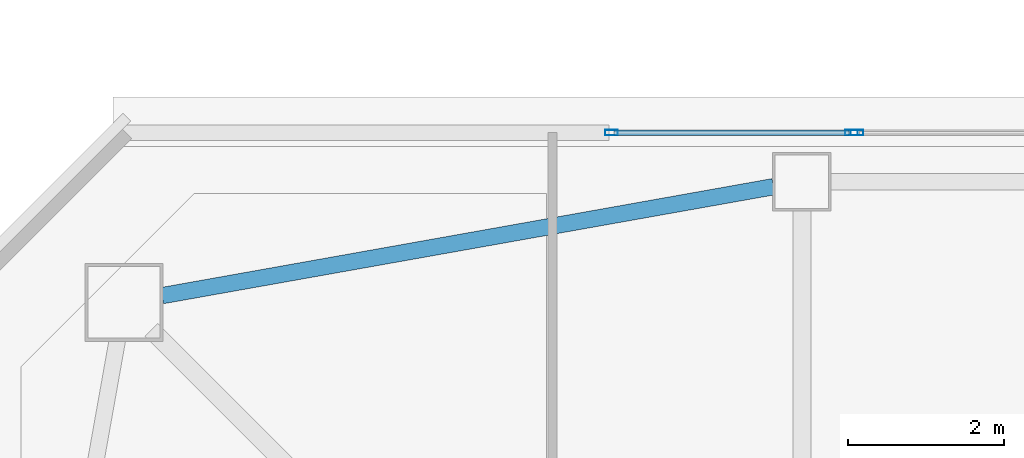
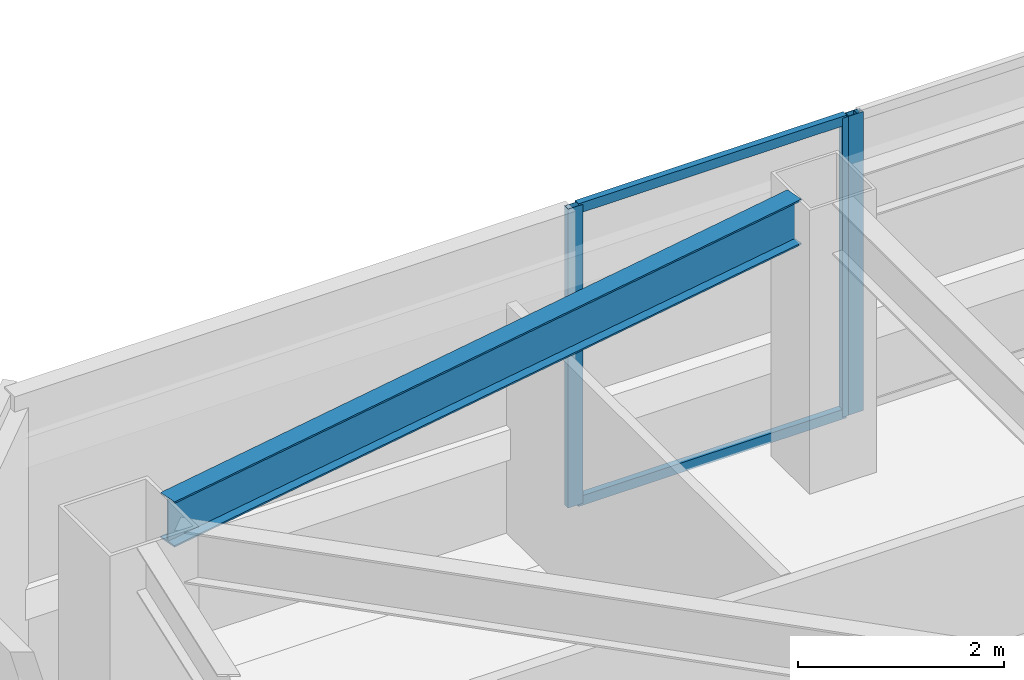
# One storey, part 13 of 39: 5 members, 1 beam, 2 elements without a shape of their own.
"""IFC4 building model written with IfcOpenShell, lengths in metres."""

import ifcopenshell
import ifcopenshell.guid

model = None  # the IFC model being written
_history = None  # IfcOwnerHistory: only IFC2X3 demands one
_inside = {}  # id of a spatial element -> (the spatial element, [elements in it])
_under = {}  # id of a project, library or spatial element -> (it, [spatial elements below it])
_declared = {}  # id of a project -> (the project, [libraries it declares])
_typed = {}  # id of a type object -> (the type object, [elements of that type])
_made_of = {}  # id of a material, layer set ... -> (it, [elements and type objects made of it])


def new_model(schema):
    """Start an empty IFC model of exactly this schema.

    Asked for "IFC4X3", IfcOpenShell would pick the latest addendum, in which some entities
    have other attributes; the version numbers below select the first issue.
    IFC2X3 requires an IfcOwnerHistory on every rooted entity: one is made here for all.
    """
    global model, _history
    if schema == "IFC4X3":
        model = ifcopenshell.file(schema_version=(4, 3, 0, 0))
    else:
        model = ifcopenshell.file(schema=schema)
    _inside.clear()
    _under.clear()
    _declared.clear()
    _typed.clear()
    _made_of.clear()
    _history = None
    if model.schema == "IFC2X3":
        org = make("IfcOrganization", Name="unknown")
        user = make(
            "IfcPersonAndOrganization",
            ThePerson=make("IfcPerson", FamilyName="unknown"),
            TheOrganization=org,
        )
        app = make(
            "IfcApplication",
            ApplicationDeveloper=org,
            Version="unknown",
            ApplicationFullName="unknown",
            ApplicationIdentifier="unknown",
        )
        _history = make(
            "IfcOwnerHistory",
            OwningUser=user,
            OwningApplication=app,
            ChangeAction="ADDED",
            CreationDate=0,
        )
    return model


def make(cls, **values):
    """One entity of the class cls with the attributes given. An attribute that is None is left unset."""
    return model.create_entity(
        cls, **{name: value for name, value in values.items() if value is not None}
    )


def rooted(cls, **values):
    """An entity with a GlobalId (a new one), such as an element, a storey or a relation."""
    return make(cls, GlobalId=ifcopenshell.guid.new(), OwnerHistory=_history, **values)


def si_unit(unit_type, name, prefix=None):
    """IfcSIUnit, for example si_unit("LENGTHUNIT", "METRE", prefix="MILLI")."""
    return make("IfcSIUnit", UnitType=unit_type, Prefix=prefix, Name=name)


def assignment(units):
    """IfcUnitAssignment: the units of a project."""
    return None if units is None else make("IfcUnitAssignment", Units=units)


def point(xyz):
    """IfcCartesianPoint."""
    return None if xyz is None else make("IfcCartesianPoint", Coordinates=xyz)


def direction(xyz):
    """IfcDirection."""
    return None if xyz is None else make("IfcDirection", DirectionRatios=xyz)


def frame(location, z_axis=None, x_axis=None):
    """IfcAxis2Placement3D, a coordinate frame: its origin and axes. An axis left out is left unset."""
    return make(
        "IfcAxis2Placement3D",
        Location=point(location),
        Axis=direction(z_axis),
        RefDirection=direction(x_axis),
    )


def frame_2d(location, x_axis=None):
    """IfcAxis2Placement2D, a coordinate frame in the plane: its origin and x axis."""
    return make(
        "IfcAxis2Placement2D", Location=point(location), RefDirection=direction(x_axis)
    )


def origin():
    """The frame at (0, 0, 0) with its axes left unset."""
    return frame((0.0, 0.0, 0.0))


def origin_2d():
    """The frame at (0, 0) in the plane with its x axis left unset."""
    return frame_2d((0.0, 0.0))


def place(relative_to, where):
    """IfcLocalPlacement: puts the frame where relative to a parent placement (None: the world)."""
    return make(
        "IfcLocalPlacement", PlacementRelTo=relative_to, RelativePlacement=where
    )


def context(
    kind, dimensions, precision=None, world=None, true_north=None, identifier=None
):
    """IfcGeometricRepresentationContext, for example the 3D "Model" context."""
    return make(
        "IfcGeometricRepresentationContext",
        ContextIdentifier=identifier,
        ContextType=kind,
        CoordinateSpaceDimension=dimensions,
        Precision=precision,
        WorldCoordinateSystem=world,
        TrueNorth=true_north,
    )


def subcontext(parent, identifier, kind, view, scale=None):
    """IfcGeometricRepresentationSubContext, for example "Body" below "Model"."""
    return make(
        "IfcGeometricRepresentationSubContext",
        ContextIdentifier=identifier,
        ContextType=kind,
        ParentContext=parent,
        TargetScale=scale,
        TargetView=view,
    )


def project(units=None, contexts=None):
    """IfcProject with its units and contexts."""
    return rooted(
        "IfcProject",
        Name="project",
        RepresentationContexts=contexts,
        UnitsInContext=assignment(units),
    )


def spatial(cls, under=None, at=None, **own):
    """A site, building, storey or space (cls), placed at a placement, below another one or the project."""
    s = rooted(cls, ObjectPlacement=at, **own)
    if under is not None:
        _under.setdefault(under.id(), (under, []))[1].append(s)
    return s


def profile(cls, at=None, kind="AREA", **sizes):
    """A parametric profile (cls). Its sizes go by their IFC names, for example OverallWidth=200.0."""
    return make(cls, ProfileType=kind, Position=at, **sizes)


def hollow_rectangle(**sizes):
    """IfcRectangleHollowProfileDef."""
    return profile("IfcRectangleHollowProfileDef", **sizes)


def i_section(**sizes):
    """IfcIShapeProfileDef."""
    return profile("IfcIShapeProfileDef", **sizes)


def extrude(swept, where, along, depth):
    """IfcExtrudedAreaSolid: the profile swept, set in the frame where, extruded along a direction by depth."""
    return make(
        "IfcExtrudedAreaSolid",
        SweptArea=swept,
        Position=where,
        ExtrudedDirection=direction(along),
        Depth=depth,
    )


def shape(context_of_items, identifier, shape_type, items):
    """IfcShapeRepresentation: the items that make up one representation, for example the "Body"."""
    return make(
        "IfcShapeRepresentation",
        ContextOfItems=context_of_items,
        RepresentationIdentifier=identifier,
        RepresentationType=shape_type,
        Items=items,
    )


def material(Name=None, Category=None):
    """IfcMaterial."""
    return make("IfcMaterial", Name=Name, Category=Category)


def material_profile(
    of_material, cross_section, Name=None, Category=None, Priority=None
):
    """IfcMaterialProfile: a cross section and its material."""
    return make(
        "IfcMaterialProfile",
        Name=Name,
        Material=of_material,
        Profile=cross_section,
        Priority=Priority,
        Category=Category,
    )


def profile_set(profiles, Name=None, composite=None):
    """IfcMaterialProfileSet."""
    return make(
        "IfcMaterialProfileSet",
        Name=Name,
        MaterialProfiles=profiles,
        CompositeProfile=composite,
    )


def made_of(thing, what):
    """Note that an element or type object is made of a material, layer set ...; save() writes the relation."""
    if what is not None:
        _made_of.setdefault(what.id(), (what, []))[1].append(thing)
    return thing


def type_object(cls, material=None, **own):
    """A type object (cls), such as IfcWallType, which elements share."""
    return made_of(rooted(cls, **own), material)


def element(
    cls,
    number,
    at=None,
    inside=None,
    cuts=None,
    type_object=None,
    material=None,
    context=None,
    identifier="Body",
    shape_type=None,
    held_by="IfcProductDefinitionShape",
    body=None,
    shapes=None,
    **own,
):
    """One element of the class cls, such as IfcWall. Its Tag is "e" and its number.

    at: its placement. inside: the storey or other place that contains it. cuts: it is an
    opening in that element (IfcRelVoidsElement). A single representation is given by context,
    identifier, shape_type and body (its items); several are given by shapes. held_by: the class
    of the entity that holds the representations. save() writes the other relations.
    """
    e = rooted(cls, Tag="e%d" % number, ObjectPlacement=at, **own)
    if body is not None:
        shapes = [shape(context, identifier, shape_type, body)]
    if shapes is not None:
        e.Representation = make(held_by, Representations=shapes)
    if inside is not None:
        _inside.setdefault(inside.id(), (inside, []))[1].append(e)
    if cuts is not None:
        rooted(
            "IfcRelVoidsElement", RelatingBuildingElement=cuts, RelatedOpeningElement=e
        )
    if type_object is not None:
        _typed.setdefault(type_object.id(), (type_object, []))[1].append(e)
    return made_of(e, material)


def aggregate(whole, parts):
    """IfcRelAggregates: a whole, such as a stair, and the parts it consists of."""
    return rooted("IfcRelAggregates", RelatingObject=whole, RelatedObjects=parts)


def save(model, path):
    """Write the relations noted so far, then the file.

    IfcRelAggregates (storeys below a building ...), IfcRelContainedInSpatialStructure (elements
    in a storey), IfcRelDefinesByType, IfcRelAssociatesMaterial and IfcRelDeclares: one each for
    every whole, place, type object, material and project.
    """
    for whole, parts in _under.values():
        aggregate(whole, parts)
    for where, things in _inside.values():
        rooted(
            "IfcRelContainedInSpatialStructure",
            RelatedElements=things,
            RelatingStructure=where,
        )
    for kind, things in _typed.values():
        rooted("IfcRelDefinesByType", RelatedObjects=things, RelatingType=kind)
    for what, things in _made_of.values():
        rooted("IfcRelAssociatesMaterial", RelatedObjects=things, RelatingMaterial=what)
    for by, libraries in _declared.values():
        rooted("IfcRelDeclares", RelatingContext=by, RelatedDefinitions=libraries)
    model.write(path)


model = new_model("IFC4")

# Units and contexts
model_context = context("Model", 3, precision=1e-05, world=origin(), true_north=direction((0.0, 1.0)))
body_context = subcontext(model_context, "Body", "Model", "MODEL_VIEW")
ifc_project = project(units=[si_unit("LENGTHUNIT", "METRE"), si_unit("AREAUNIT", "SQUARE_METRE"), si_unit("VOLUMEUNIT", "CUBIC_METRE"), si_unit("PLANEANGLEUNIT", "RADIAN"), si_unit("MASSUNIT", "GRAM", prefix="KILO")], contexts=[model_context])

# Site, building, storey
site_placement = place(None, origin())
site = spatial("IfcSite", under=ifc_project, at=site_placement, CompositionType="ELEMENT")
building_placement = place(site_placement, origin())
building = spatial("IfcBuilding", under=site, at=building_placement, Name="Tashvorn Skyway Center", CompositionType="ELEMENT")
storey_placement = place(building_placement, frame((0.0, 0.0, 225.5)))
storey = spatial("IfcBuildingStorey", under=building, at=storey_placement, Name="L61", CompositionType="ELEMENT", Elevation=225.5)

# Beam
ifc_material_1 = material(Name="Steel ASTM A992 Grade 50", Category="steel")
ifc_material_profile_1 = material_profile(ifc_material_1, i_section(OverallWidth=0.2109375, OverallDepth=0.5390625, WebThickness=0.01171875, FlangeThickness=0.018798828125, at=origin_2d()), Name="W21X73")
ifc_profile_set_1 = profile_set([ifc_material_profile_1], Name="Steel ASTM A992 Grade 50")
beam_type = type_object("IfcBeamType", Name="BM-SPANDREL-W21X73", PredefinedType="SPANDREL", material=ifc_profile_set_1)
beam_placement = place(storey_placement, frame((36.23583984375, 47.585205078125, 3.1005859375), z_axis=(-0.984494883191, -0.17541329759, 0.0), x_axis=(0.17541329759, -0.984494883191, 0.0)))
element("IfcBeam", 1, at=beam_placement, inside=storey, type_object=beam_type, Name="Tower 1 L61 Spandrel Beam 09", PredefinedType="SPANDREL", context=body_context, shape_type="SweptSolid", body=[
    extrude(i_section(OverallWidth=0.2109375, OverallDepth=0.5390625, WebThickness=0.01171875, FlangeThickness=0.018798828125, at=origin_2d()), origin(), (0.0, 0.0, 1.0), 7.97216796875),
])

# Curtain wall, members
ifc_material_2 = material(Name="Thermally broken bronze-anodized aluminium 6063-T6", Category="aluminium")
curtain_wall_type = type_object("IfcCurtainWallType", Name="CW-CW-Z5", PredefinedType="NOTDEFINED", material=ifc_material_2)
curtain_wall_1_placement = place(storey_placement, origin())
curtain_wall_1 = element("IfcCurtainWall", 2, at=curtain_wall_1_placement, inside=storey, type_object=curtain_wall_type, Name="Tower 1 L61 North Unitised Curtain Wall Glazing Group 1", PredefinedType="NOTDEFINED")
ifc_material_profile_2 = material_profile(ifc_material_2, hollow_rectangle(XDim=0.070068359375, YDim=0.1650390625, WallThickness=0.00390625, at=origin_2d()), Name="ALU-MULL-70x165")
ifc_profile_set_2 = profile_set([ifc_material_profile_2], Name="Thermally broken bronze-anodized aluminium 6063-T6")
member_type_1 = type_object("IfcMemberType", Name="CWM-CW-Z5", PredefinedType="MULLION", material=ifc_profile_set_2)
member_1_placement = place(storey_placement, frame((34.1572265625, 48.280029296875, 0.0), z_axis=(0.0, 0.0, 1.0), x_axis=(0.0, 1.0, 0.0)))
member_1 = element("IfcMember", 3, at=member_1_placement, type_object=member_type_1, Name="CW-Z5 mullion 1", PredefinedType="MULLION", context=body_context, shape_type="SweptSolid", body=[
    extrude(hollow_rectangle(XDim=0.070068359375, YDim=0.1650390625, WallThickness=0.00390625, at=origin_2d()), origin(), (0.0, 0.0, 1.0), 3.550048828125),
])
member_2_placement = place(storey_placement, frame((37.23828125, 48.280029296875, 0.0), z_axis=(0.0, 0.0, 1.0), x_axis=(0.0, 1.0, 0.0)))
member_2 = element("IfcMember", 4, at=member_2_placement, type_object=member_type_1, Name="CW-Z5 mullion 2", PredefinedType="MULLION", context=body_context, shape_type="SweptSolid", body=[
    extrude(hollow_rectangle(XDim=0.070068359375, YDim=0.1650390625, WallThickness=0.00390625, at=origin_2d()), origin(), (0.0, 0.0, 1.0), 3.550048828125),
])

# Curtain wall, member
curtain_wall_2_placement = place(storey_placement, origin())
curtain_wall_2 = element("IfcCurtainWall", 5, at=curtain_wall_2_placement, inside=storey, type_object=curtain_wall_type, Name="Tower 1 L61 North Unitised Curtain Wall Glazing Group 2", PredefinedType="NOTDEFINED")
member_3_placement = place(storey_placement, frame((37.308349609375, 48.280029296875, 0.0), z_axis=(0.0, 0.0, 1.0), x_axis=(0.0, 1.0, 0.0)))
member_3 = element("IfcMember", 6, at=member_3_placement, type_object=member_type_1, Name="CW-Z5 mullion 1", PredefinedType="MULLION", context=body_context, shape_type="SweptSolid", body=[
    extrude(hollow_rectangle(XDim=0.070068359375, YDim=0.1650390625, WallThickness=0.00390625, at=origin_2d()), origin(), (0.0, 0.0, 1.0), 3.550048828125),
])
aggregate(curtain_wall_2, [member_3])

# Member
ifc_material_profile_3 = material_profile(ifc_material_2, hollow_rectangle(XDim=0.070068359375, YDim=0.114990234375, WallThickness=0.00390625, at=origin_2d()), Name="ALU-TRAN-70x115")
ifc_profile_set_3 = profile_set([ifc_material_profile_3], Name="Thermally broken bronze-anodized aluminium 6063-T6")
member_type_2 = type_object("IfcMemberType", Name="CWT-CW-Z5", PredefinedType="USERDEFINED", material=ifc_profile_set_3)
member_4_placement = place(storey_placement, frame((34.192138671875, 48.280029296875, 0.034912109375), z_axis=(1.0, 0.0, 0.0), x_axis=(0.0, 1.0, 0.0)))
member_4 = element("IfcMember", 7, at=member_4_placement, type_object=member_type_2, Name="CW-Z5 transom 1.1", ObjectType="TRANSOM", PredefinedType="USERDEFINED", context=body_context, shape_type="SweptSolid", body=[
    extrude(hollow_rectangle(XDim=0.070068359375, YDim=0.114990234375, WallThickness=0.00390625, at=origin_2d()), origin(), (0.0, 0.0, 1.0), 3.01123046875),
])

member_5_placement = place(storey_placement, frame((34.192138671875, 48.280029296875, 3.514892578125), z_axis=(1.0, 0.0, 0.0), x_axis=(0.0, 1.0, 0.0)))
member_5 = element("IfcMember", 8, at=member_5_placement, type_object=member_type_2, Name="CW-Z5 transom 1.2", ObjectType="TRANSOM", PredefinedType="USERDEFINED", context=body_context, shape_type="SweptSolid", body=[
    extrude(hollow_rectangle(XDim=0.070068359375, YDim=0.114990234375, WallThickness=0.00390625, at=origin_2d()), origin(), (0.0, 0.0, 1.0), 3.01123046875),
])

aggregate(curtain_wall_1, [member_1, member_2, member_4, member_5])

save(model, "model.ifc")
